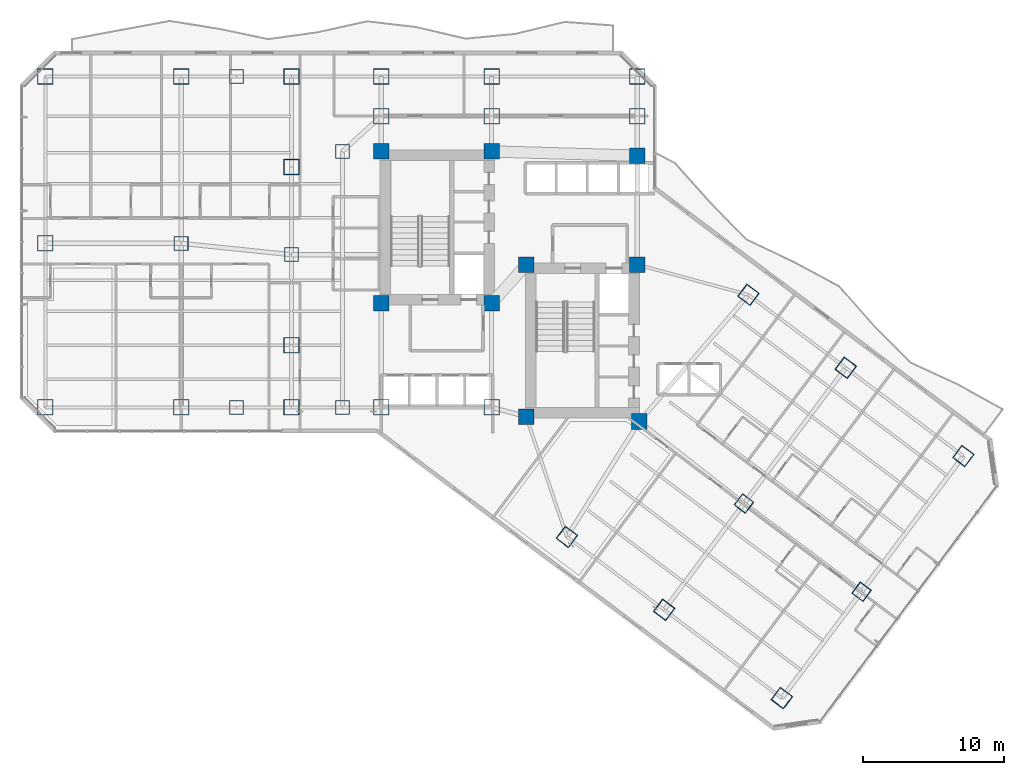
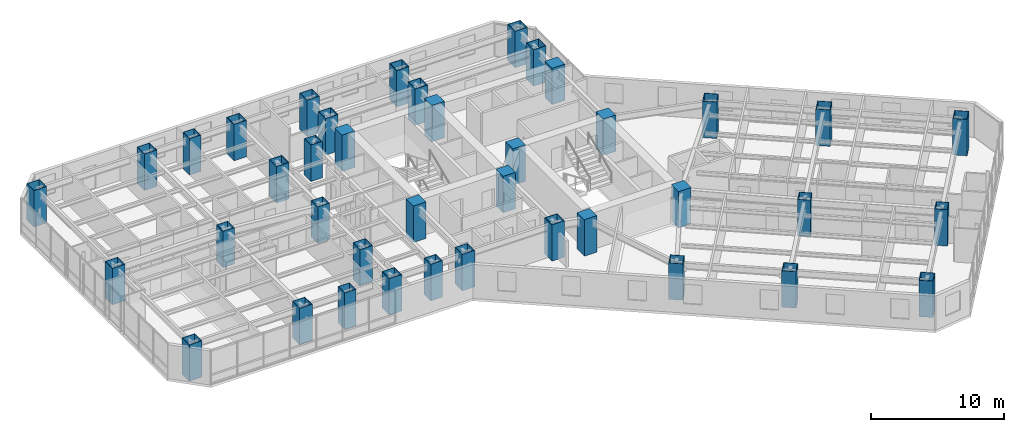
# One storey, part 1 of 38: 40 columns.
"""IFC4 building model written with IfcOpenShell, lengths in metres."""

import ifcopenshell
import ifcopenshell.guid

model = None  # the IFC model being written
_history = None  # IfcOwnerHistory: only IFC2X3 demands one
_inside = {}  # id of a spatial element -> (the spatial element, [elements in it])
_under = {}  # id of a project, library or spatial element -> (it, [spatial elements below it])
_declared = {}  # id of a project -> (the project, [libraries it declares])
_typed = {}  # id of a type object -> (the type object, [elements of that type])
_made_of = {}  # id of a material, layer set ... -> (it, [elements and type objects made of it])


def new_model(schema):
    """Start an empty IFC model of exactly this schema.

    Asked for "IFC4X3", IfcOpenShell would pick the latest addendum, in which some entities
    have other attributes; the version numbers below select the first issue.
    IFC2X3 requires an IfcOwnerHistory on every rooted entity: one is made here for all.
    """
    global model, _history
    if schema == "IFC4X3":
        model = ifcopenshell.file(schema_version=(4, 3, 0, 0))
    else:
        model = ifcopenshell.file(schema=schema)
    _inside.clear()
    _under.clear()
    _declared.clear()
    _typed.clear()
    _made_of.clear()
    _history = None
    if model.schema == "IFC2X3":
        org = make("IfcOrganization", Name="unknown")
        user = make(
            "IfcPersonAndOrganization",
            ThePerson=make("IfcPerson", FamilyName="unknown"),
            TheOrganization=org,
        )
        app = make(
            "IfcApplication",
            ApplicationDeveloper=org,
            Version="unknown",
            ApplicationFullName="unknown",
            ApplicationIdentifier="unknown",
        )
        _history = make(
            "IfcOwnerHistory",
            OwningUser=user,
            OwningApplication=app,
            ChangeAction="ADDED",
            CreationDate=0,
        )
    return model


def make(cls, **values):
    """One entity of the class cls with the attributes given. An attribute that is None is left unset."""
    return model.create_entity(
        cls, **{name: value for name, value in values.items() if value is not None}
    )


def rooted(cls, **values):
    """An entity with a GlobalId (a new one), such as an element, a storey or a relation."""
    return make(cls, GlobalId=ifcopenshell.guid.new(), OwnerHistory=_history, **values)


def si_unit(unit_type, name, prefix=None):
    """IfcSIUnit, for example si_unit("LENGTHUNIT", "METRE", prefix="MILLI")."""
    return make("IfcSIUnit", UnitType=unit_type, Prefix=prefix, Name=name)


def assignment(units):
    """IfcUnitAssignment: the units of a project."""
    return None if units is None else make("IfcUnitAssignment", Units=units)


def point(xyz):
    """IfcCartesianPoint."""
    return None if xyz is None else make("IfcCartesianPoint", Coordinates=xyz)


def direction(xyz):
    """IfcDirection."""
    return None if xyz is None else make("IfcDirection", DirectionRatios=xyz)


def frame(location, z_axis=None, x_axis=None):
    """IfcAxis2Placement3D, a coordinate frame: its origin and axes. An axis left out is left unset."""
    return make(
        "IfcAxis2Placement3D",
        Location=point(location),
        Axis=direction(z_axis),
        RefDirection=direction(x_axis),
    )


def frame_2d(location, x_axis=None):
    """IfcAxis2Placement2D, a coordinate frame in the plane: its origin and x axis."""
    return make(
        "IfcAxis2Placement2D", Location=point(location), RefDirection=direction(x_axis)
    )


def origin():
    """The frame at (0, 0, 0) with its axes left unset."""
    return frame((0.0, 0.0, 0.0))


def origin_2d():
    """The frame at (0, 0) in the plane with its x axis left unset."""
    return frame_2d((0.0, 0.0))


def place(relative_to, where):
    """IfcLocalPlacement: puts the frame where relative to a parent placement (None: the world)."""
    return make(
        "IfcLocalPlacement", PlacementRelTo=relative_to, RelativePlacement=where
    )


def context(
    kind, dimensions, precision=None, world=None, true_north=None, identifier=None
):
    """IfcGeometricRepresentationContext, for example the 3D "Model" context."""
    return make(
        "IfcGeometricRepresentationContext",
        ContextIdentifier=identifier,
        ContextType=kind,
        CoordinateSpaceDimension=dimensions,
        Precision=precision,
        WorldCoordinateSystem=world,
        TrueNorth=true_north,
    )


def subcontext(parent, identifier, kind, view, scale=None):
    """IfcGeometricRepresentationSubContext, for example "Body" below "Model"."""
    return make(
        "IfcGeometricRepresentationSubContext",
        ContextIdentifier=identifier,
        ContextType=kind,
        ParentContext=parent,
        TargetScale=scale,
        TargetView=view,
    )


def project(units=None, contexts=None):
    """IfcProject with its units and contexts."""
    return rooted(
        "IfcProject",
        Name="project",
        RepresentationContexts=contexts,
        UnitsInContext=assignment(units),
    )


def spatial(cls, under=None, at=None, **own):
    """A site, building, storey or space (cls), placed at a placement, below another one or the project."""
    s = rooted(cls, ObjectPlacement=at, **own)
    if under is not None:
        _under.setdefault(under.id(), (under, []))[1].append(s)
    return s


def profile(cls, at=None, kind="AREA", **sizes):
    """A parametric profile (cls). Its sizes go by their IFC names, for example OverallWidth=200.0."""
    return make(cls, ProfileType=kind, Position=at, **sizes)


def rectangle(**sizes):
    """IfcRectangleProfileDef."""
    return profile("IfcRectangleProfileDef", **sizes)


def hollow_rectangle(**sizes):
    """IfcRectangleHollowProfileDef."""
    return profile("IfcRectangleHollowProfileDef", **sizes)


def extrude(swept, where, along, depth):
    """IfcExtrudedAreaSolid: the profile swept, set in the frame where, extruded along a direction by depth."""
    return make(
        "IfcExtrudedAreaSolid",
        SweptArea=swept,
        Position=where,
        ExtrudedDirection=direction(along),
        Depth=depth,
    )


def shape(context_of_items, identifier, shape_type, items):
    """IfcShapeRepresentation: the items that make up one representation, for example the "Body"."""
    return make(
        "IfcShapeRepresentation",
        ContextOfItems=context_of_items,
        RepresentationIdentifier=identifier,
        RepresentationType=shape_type,
        Items=items,
    )


def material(Name=None, Category=None):
    """IfcMaterial."""
    return make("IfcMaterial", Name=Name, Category=Category)


def material_profile(
    of_material, cross_section, Name=None, Category=None, Priority=None
):
    """IfcMaterialProfile: a cross section and its material."""
    return make(
        "IfcMaterialProfile",
        Name=Name,
        Material=of_material,
        Profile=cross_section,
        Priority=Priority,
        Category=Category,
    )


def profile_set(profiles, Name=None, composite=None):
    """IfcMaterialProfileSet."""
    return make(
        "IfcMaterialProfileSet",
        Name=Name,
        MaterialProfiles=profiles,
        CompositeProfile=composite,
    )


def made_of(thing, what):
    """Note that an element or type object is made of a material, layer set ...; save() writes the relation."""
    if what is not None:
        _made_of.setdefault(what.id(), (what, []))[1].append(thing)
    return thing


def type_object(cls, material=None, **own):
    """A type object (cls), such as IfcWallType, which elements share."""
    return made_of(rooted(cls, **own), material)


def element(
    cls,
    number,
    at=None,
    inside=None,
    cuts=None,
    type_object=None,
    material=None,
    context=None,
    identifier="Body",
    shape_type=None,
    held_by="IfcProductDefinitionShape",
    body=None,
    shapes=None,
    **own,
):
    """One element of the class cls, such as IfcWall. Its Tag is "e" and its number.

    at: its placement. inside: the storey or other place that contains it. cuts: it is an
    opening in that element (IfcRelVoidsElement). A single representation is given by context,
    identifier, shape_type and body (its items); several are given by shapes. held_by: the class
    of the entity that holds the representations. save() writes the other relations.
    """
    e = rooted(cls, Tag="e%d" % number, ObjectPlacement=at, **own)
    if body is not None:
        shapes = [shape(context, identifier, shape_type, body)]
    if shapes is not None:
        e.Representation = make(held_by, Representations=shapes)
    if inside is not None:
        _inside.setdefault(inside.id(), (inside, []))[1].append(e)
    if cuts is not None:
        rooted(
            "IfcRelVoidsElement", RelatingBuildingElement=cuts, RelatedOpeningElement=e
        )
    if type_object is not None:
        _typed.setdefault(type_object.id(), (type_object, []))[1].append(e)
    return made_of(e, material)


def aggregate(whole, parts):
    """IfcRelAggregates: a whole, such as a stair, and the parts it consists of."""
    return rooted("IfcRelAggregates", RelatingObject=whole, RelatedObjects=parts)


def save(model, path):
    """Write the relations noted so far, then the file.

    IfcRelAggregates (storeys below a building ...), IfcRelContainedInSpatialStructure (elements
    in a storey), IfcRelDefinesByType, IfcRelAssociatesMaterial and IfcRelDeclares: one each for
    every whole, place, type object, material and project.
    """
    for whole, parts in _under.values():
        aggregate(whole, parts)
    for where, things in _inside.values():
        rooted(
            "IfcRelContainedInSpatialStructure",
            RelatedElements=things,
            RelatingStructure=where,
        )
    for kind, things in _typed.values():
        rooted("IfcRelDefinesByType", RelatedObjects=things, RelatingType=kind)
    for what, things in _made_of.values():
        rooted("IfcRelAssociatesMaterial", RelatedObjects=things, RelatingMaterial=what)
    for by, libraries in _declared.values():
        rooted("IfcRelDeclares", RelatingContext=by, RelatedDefinitions=libraries)
    model.write(path)


model = new_model("IFC4")

# Units and contexts
model_context = context("Model", 3, precision=1e-05, world=origin(), true_north=direction((0.0, 1.0)))
body_context = subcontext(model_context, "Body", "Model", "MODEL_VIEW")
ifc_project = project(units=[si_unit("LENGTHUNIT", "METRE"), si_unit("AREAUNIT", "SQUARE_METRE"), si_unit("VOLUMEUNIT", "CUBIC_METRE"), si_unit("PLANEANGLEUNIT", "RADIAN"), si_unit("MASSUNIT", "GRAM", prefix="KILO")], contexts=[model_context])

# Site, building, storey
site_placement = place(None, origin())
site = spatial("IfcSite", under=ifc_project, at=site_placement, CompositionType="ELEMENT")
building_placement = place(site_placement, origin())
building = spatial("IfcBuilding", under=site, at=building_placement, Name="Hatsunagi Terrace Concourse", CompositionType="ELEMENT")
storey_placement = place(building_placement, frame((0.0, 0.0, 60.050048828125)))
storey = spatial("IfcBuildingStorey", under=building, at=storey_placement, Name="L15", CompositionType="ELEMENT", Elevation=60.050048828125)

# Columns
ifc_material_1 = material(Name="Concrete Fc60", Category="concrete")
ifc_material_profile_1 = material_profile(ifc_material_1, rectangle(XDim=1.10009765625, YDim=1.10009765625, at=origin_2d()), Name="RC-1100x1100")
ifc_profile_set_1 = profile_set([ifc_material_profile_1], Name="Concrete Fc60")
column_type_1 = type_object("IfcColumnType", Name="CoreColumn_RC_1100x1100", PredefinedType="COLUMN", material=ifc_profile_set_1)
for number, where, z_axis, x_axis, name in (
    (1, (25.550048828125, 32.550048828125, 0.0), (0.0, 0.0, 1.0), (1.0, 0.0, 0.0), "Column C-01 L15-CASW"),
    (2, (33.35009765625, 32.550048828125, 0.0), (0.0, 0.0, 1.0), (1.0, 0.0, 0.0), "Column C-01 L15-CASE"),
    (3, (25.550048828125, 43.300048828125, 0.0), (0.0, 0.0, 1.0), (1.0, 0.0, 0.0), "Column C-01 L15-CANW"),
    (4, (33.35009765625, 43.300048828125, 0.0), (0.0, 0.0, 1.0), (1.0, 0.0, 0.0), "Column C-01 L15-CANE"),
    (5, (35.800048828125, 24.550048828125, 0.0), (0.0, 0.0, 1.0), (1.0, 0.0, 0.0), "Column C-01 L15-CBSW"),
    (6, (43.800048828125, 24.199951171875, 0.0), (0.0, 0.0, 1.0), (1.0, 0.0, 0.0), "Column C-01 L15-CBSE"),
    (7, (35.800048828125, 35.300048828125, 0.0), (0.0, 0.0, 1.0), (1.0, 0.0, 0.0), "Column C-01 L15-CBNW"),
    (8, (43.64990234375, 35.300048828125, 0.0), (0.0, 0.0, 1.0), (1.0, 0.0, 0.0), "Column C-01 L15-CBNE"),
    (9, (43.64990234375, 43.0, 0.0), (0.0, 0.0, 1.0), (1.0, 0.0, 0.0), "Column C-01 L15-K3"),
):
    element("IfcColumn", number, at=place(storey_placement, frame(where, z_axis=z_axis, x_axis=x_axis)), inside=storey, type_object=column_type_1, Name=name, PredefinedType="COLUMN", context=body_context, shape_type="SweptSolid", body=[
        extrude(rectangle(XDim=1.10009765625, YDim=1.10009765625, at=origin_2d()), origin(), (0.0, 0.0, 1.0), 3.349853515625),
    ])
ifc_material_2 = material(Name="Steel BCP325T", Category="steel")
ifc_material_profile_2 = material_profile(ifc_material_2, hollow_rectangle(XDim=1.10009765625, YDim=1.10009765625, WallThickness=0.0400390625, at=origin_2d()), Name="BCP-1100x1100x40")
ifc_profile_set_2 = profile_set([ifc_material_profile_2], Name="Steel BCP325T")
column_type_2 = type_object("IfcColumnType", Name="MegaColumn_BCP_1100x1100x40", PredefinedType="COLUMN", material=ifc_profile_set_2)
for number, where, z_axis, x_axis, name in (
    (10, (25.550048828125, 25.199951171875, 0.0), (0.0, 0.0, 1.0), (1.0, 0.0, 0.0), "Mega column MC-02 L15-K1"),
    (11, (33.35009765625, 25.199951171875, 0.0), (0.0, 0.0, 1.0), (1.0, 0.0, 0.0), "Mega column MC-02 L15-K2"),
    (12, (25.550048828125, 45.800048828125, 0.0), (0.0, 0.0, 1.0), (1.0, 0.0, 0.0), "Mega column MC-02 L15-CN1"),
    (13, (33.35009765625, 45.800048828125, 0.0), (0.0, 0.0, 1.0), (1.0, 0.0, 0.0), "Mega column MC-02 L15-CN2"),
    (14, (43.64990234375, 45.800048828125, 0.0), (0.0, 0.0, 1.0), (1.0, 0.0, 0.0), "Mega column MC-02 L15-CN3"),
    (15, (1.800048828125, 25.199951171875, 0.0), (0.0, 0.0, 1.0), (1.0, 0.0, 0.0), "Mega column MC-02 L15-WS1"),
    (16, (1.800048828125, 48.60009765625, 0.0), (0.0, 0.0, 1.0), (1.0, 0.0, 0.0), "Mega column MC-02 L15-WN1"),
    (17, (1.800048828125, 36.800048828125, 0.0), (0.0, 0.0, 1.0), (1.0, 0.0, 0.0), "Mega column MC-02 L15-WM0"),
    (18, (11.39990234375, 25.199951171875, 0.0), (0.0, 0.0, 1.0), (1.0, 0.0, 0.0), "Mega column MC-02 L15-WS2"),
    (19, (11.39990234375, 48.60009765625, 0.0), (0.0, 0.0, 1.0), (1.0, 0.0, 0.0), "Mega column MC-02 L15-WN2"),
    (20, (19.199951171875, 48.60009765625, 0.0), (0.0, 0.0, 1.0), (1.0, 0.0, 0.0), "Mega column MC-02 L15-WN3"),
    (21, (25.550048828125, 48.60009765625, 0.0), (0.0, 0.0, 1.0), (1.0, 0.0, 0.0), "Mega column MC-02 L15-WN4"),
    (22, (33.35009765625, 48.60009765625, 0.0), (0.0, 0.0, 1.0), (1.0, 0.0, 0.0), "Mega column MC-02 L15-WN5"),
    (23, (43.64990234375, 48.60009765625, 0.0), (0.0, 0.0, 1.0), (1.0, 0.0, 0.0), "Mega column MC-02 L15-WN6"),
    (24, (19.199951171875, 25.199951171875, 0.0), (0.0, 0.0, 1.0), (1.0, 0.0, 0.0), "Mega column MC-02 L15-WS3"),
    (25, (19.199951171875, 29.60009765625, 0.0), (0.0, 0.0, 1.0), (1.0, 0.0, 0.0), "Mega column MC-02 L15-WR1"),
    (26, (19.199951171875, 42.199951171875, 0.0), (0.0, 0.0, 1.0), (1.0, 0.0, 0.0), "Mega column MC-02 L15-WR2"),
    (27, (38.679931640625, 16.0400390625, 0.0), (0.0, 0.0, 1.0), (0.799999996291, -0.600000004945, 0.0), "Mega column MC-02 L15-SES1"),
    (28, (51.52001953125, 33.159912109375, 0.0), (0.0, 0.0, 1.0), (0.799999996291, -0.600000004945, 0.0), "Mega column MC-02 L15-SEN1"),
    (29, (45.56005859375, 10.8798828125, 0.0), (0.0, 0.0, 1.0), (0.799999996291, -0.600000004945, 0.0), "Mega column MC-02 L15-SES2"),
    (30, (58.39990234375, 28.0, 0.0), (0.0, 0.0, 1.0), (0.799999996291, -0.600000004945, 0.0), "Mega column MC-02 L15-SEN2"),
    (31, (53.8798828125, 4.639892578125, 0.0), (0.0, 0.0, 1.0), (0.799999996291, -0.600000004945, 0.0), "Mega column MC-02 L15-SES3"),
    (32, (66.719970703125, 21.760009765625, 0.0), (0.0, 0.0, 1.0), (0.799999996291, -0.600000004945, 0.0), "Mega column MC-02 L15-SEN3"),
):
    element("IfcColumn", number, at=place(storey_placement, frame(where, z_axis=z_axis, x_axis=x_axis)), inside=storey, type_object=column_type_2, Name=name, PredefinedType="COLUMN", context=body_context, shape_type="SweptSolid", body=[
        extrude(hollow_rectangle(XDim=1.10009765625, YDim=1.10009765625, WallThickness=0.0400390625, at=origin_2d()), origin(), (0.0, 0.0, 1.0), 3.349853515625),
    ])
ifc_material_3 = material(Name="Steel BCP325T", Category="steel")
ifc_material_profile_3 = material_profile(ifc_material_3, hollow_rectangle(XDim=1.0, YDim=1.0, WallThickness=0.0380859375, at=origin_2d()), Name="BCP-1000x1000x38")
ifc_profile_set_3 = profile_set([ifc_material_profile_3], Name="Steel BCP325T")
column_type_3 = type_object("IfcColumnType", Name="TowerBoxColumn_1000x1000x38", PredefinedType="COLUMN", material=ifc_profile_set_3)
for number, where, z_axis, x_axis, name in (
    (33, (22.800048828125, 25.199951171875, 0.0), (0.0, 0.0, 1.0), (1.0, 0.0, 0.0), "Column C-03 L15-CW1"),
    (34, (22.800048828125, 43.300048828125, 0.0), (0.0, 0.0, 1.0), (1.0, 0.0, 0.0), "Column C-03 L15-CW2"),
    (35, (11.39990234375, 36.800048828125, 0.0), (0.0, 0.0, 1.0), (1.0, 0.0, 0.0), "Column C-03 L15-WT1"),
    (36, (19.199951171875, 36.0, 0.0), (0.0, 0.0, 1.0), (1.0, 0.0, 0.0), "Column C-03 L15-WT2"),
    (37, (15.300048828125, 25.199951171875, 0.0), (0.0, 0.0, 1.0), (1.0, 0.0, 0.0), "Column C-03 L15-WT3"),
    (38, (15.300048828125, 48.60009765625, 0.0), (0.0, 0.0, 1.0), (1.0, 0.0, 0.0), "Column C-03 L15-WT4"),
    (39, (51.199951171875, 18.39990234375, 0.0), (0.0, 0.0, 1.0), (0.799999996291, -0.600000004945, 0.0), "Column C-03 L15-SEM2"),
    (40, (59.52001953125, 12.159912109375, 0.0), (0.0, 0.0, 1.0), (0.799999996291, -0.600000004945, 0.0), "Column C-03 L15-SEM3"),
):
    element("IfcColumn", number, at=place(storey_placement, frame(where, z_axis=z_axis, x_axis=x_axis)), inside=storey, type_object=column_type_3, Name=name, PredefinedType="COLUMN", context=body_context, shape_type="SweptSolid", body=[
        extrude(hollow_rectangle(XDim=1.0, YDim=1.0, WallThickness=0.0380859375, at=origin_2d()), origin(), (0.0, 0.0, 1.0), 3.349853515625),
    ])

save(model, "model.ifc")
